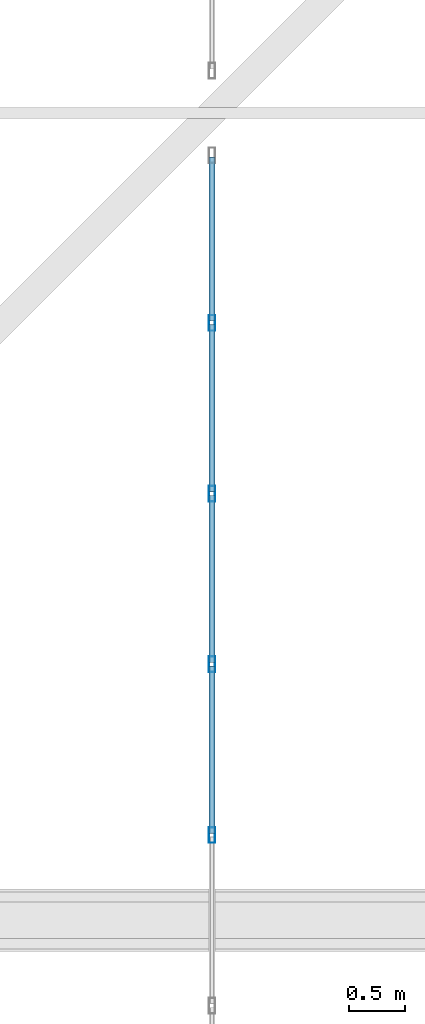
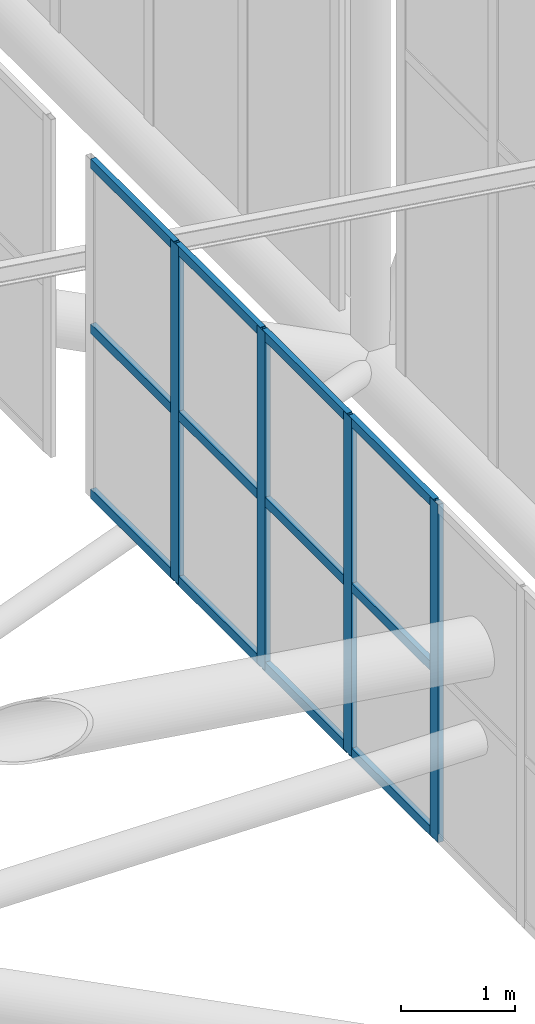
# One storey, part 166 of 397: 16 members, 1 element without a shape of its own.
"""IFC4 building model written with IfcOpenShell, lengths in metres."""

import ifcopenshell
import ifcopenshell.guid

model = None  # the IFC model being written
_history = None  # IfcOwnerHistory: only IFC2X3 demands one
_inside = {}  # id of a spatial element -> (the spatial element, [elements in it])
_under = {}  # id of a project, library or spatial element -> (it, [spatial elements below it])
_declared = {}  # id of a project -> (the project, [libraries it declares])
_typed = {}  # id of a type object -> (the type object, [elements of that type])
_made_of = {}  # id of a material, layer set ... -> (it, [elements and type objects made of it])


def new_model(schema):
    """Start an empty IFC model of exactly this schema.

    Asked for "IFC4X3", IfcOpenShell would pick the latest addendum, in which some entities
    have other attributes; the version numbers below select the first issue.
    IFC2X3 requires an IfcOwnerHistory on every rooted entity: one is made here for all.
    """
    global model, _history
    if schema == "IFC4X3":
        model = ifcopenshell.file(schema_version=(4, 3, 0, 0))
    else:
        model = ifcopenshell.file(schema=schema)
    _inside.clear()
    _under.clear()
    _declared.clear()
    _typed.clear()
    _made_of.clear()
    _history = None
    if model.schema == "IFC2X3":
        org = make("IfcOrganization", Name="unknown")
        user = make(
            "IfcPersonAndOrganization",
            ThePerson=make("IfcPerson", FamilyName="unknown"),
            TheOrganization=org,
        )
        app = make(
            "IfcApplication",
            ApplicationDeveloper=org,
            Version="unknown",
            ApplicationFullName="unknown",
            ApplicationIdentifier="unknown",
        )
        _history = make(
            "IfcOwnerHistory",
            OwningUser=user,
            OwningApplication=app,
            ChangeAction="ADDED",
            CreationDate=0,
        )
    return model


def make(cls, **values):
    """One entity of the class cls with the attributes given. An attribute that is None is left unset."""
    return model.create_entity(
        cls, **{name: value for name, value in values.items() if value is not None}
    )


def rooted(cls, **values):
    """An entity with a GlobalId (a new one), such as an element, a storey or a relation."""
    return make(cls, GlobalId=ifcopenshell.guid.new(), OwnerHistory=_history, **values)


def si_unit(unit_type, name, prefix=None):
    """IfcSIUnit, for example si_unit("LENGTHUNIT", "METRE", prefix="MILLI")."""
    return make("IfcSIUnit", UnitType=unit_type, Prefix=prefix, Name=name)


def assignment(units):
    """IfcUnitAssignment: the units of a project."""
    return None if units is None else make("IfcUnitAssignment", Units=units)


def point(xyz):
    """IfcCartesianPoint."""
    return None if xyz is None else make("IfcCartesianPoint", Coordinates=xyz)


def direction(xyz):
    """IfcDirection."""
    return None if xyz is None else make("IfcDirection", DirectionRatios=xyz)


def frame(location, z_axis=None, x_axis=None):
    """IfcAxis2Placement3D, a coordinate frame: its origin and axes. An axis left out is left unset."""
    return make(
        "IfcAxis2Placement3D",
        Location=point(location),
        Axis=direction(z_axis),
        RefDirection=direction(x_axis),
    )


def frame_2d(location, x_axis=None):
    """IfcAxis2Placement2D, a coordinate frame in the plane: its origin and x axis."""
    return make(
        "IfcAxis2Placement2D", Location=point(location), RefDirection=direction(x_axis)
    )


def origin():
    """The frame at (0, 0, 0) with its axes left unset."""
    return frame((0.0, 0.0, 0.0))


def origin_2d():
    """The frame at (0, 0) in the plane with its x axis left unset."""
    return frame_2d((0.0, 0.0))


def place(relative_to, where):
    """IfcLocalPlacement: puts the frame where relative to a parent placement (None: the world)."""
    return make(
        "IfcLocalPlacement", PlacementRelTo=relative_to, RelativePlacement=where
    )


def context(
    kind, dimensions, precision=None, world=None, true_north=None, identifier=None
):
    """IfcGeometricRepresentationContext, for example the 3D "Model" context."""
    return make(
        "IfcGeometricRepresentationContext",
        ContextIdentifier=identifier,
        ContextType=kind,
        CoordinateSpaceDimension=dimensions,
        Precision=precision,
        WorldCoordinateSystem=world,
        TrueNorth=true_north,
    )


def subcontext(parent, identifier, kind, view, scale=None):
    """IfcGeometricRepresentationSubContext, for example "Body" below "Model"."""
    return make(
        "IfcGeometricRepresentationSubContext",
        ContextIdentifier=identifier,
        ContextType=kind,
        ParentContext=parent,
        TargetScale=scale,
        TargetView=view,
    )


def project(units=None, contexts=None):
    """IfcProject with its units and contexts."""
    return rooted(
        "IfcProject",
        Name="project",
        RepresentationContexts=contexts,
        UnitsInContext=assignment(units),
    )


def spatial(cls, under=None, at=None, **own):
    """A site, building, storey or space (cls), placed at a placement, below another one or the project."""
    s = rooted(cls, ObjectPlacement=at, **own)
    if under is not None:
        _under.setdefault(under.id(), (under, []))[1].append(s)
    return s


def profile(cls, at=None, kind="AREA", **sizes):
    """A parametric profile (cls). Its sizes go by their IFC names, for example OverallWidth=200.0."""
    return make(cls, ProfileType=kind, Position=at, **sizes)


def hollow_rectangle(**sizes):
    """IfcRectangleHollowProfileDef."""
    return profile("IfcRectangleHollowProfileDef", **sizes)


def extrude(swept, where, along, depth):
    """IfcExtrudedAreaSolid: the profile swept, set in the frame where, extruded along a direction by depth."""
    return make(
        "IfcExtrudedAreaSolid",
        SweptArea=swept,
        Position=where,
        ExtrudedDirection=direction(along),
        Depth=depth,
    )


def shape(context_of_items, identifier, shape_type, items):
    """IfcShapeRepresentation: the items that make up one representation, for example the "Body"."""
    return make(
        "IfcShapeRepresentation",
        ContextOfItems=context_of_items,
        RepresentationIdentifier=identifier,
        RepresentationType=shape_type,
        Items=items,
    )


def material(Name=None, Category=None):
    """IfcMaterial."""
    return make("IfcMaterial", Name=Name, Category=Category)


def material_profile(
    of_material, cross_section, Name=None, Category=None, Priority=None
):
    """IfcMaterialProfile: a cross section and its material."""
    return make(
        "IfcMaterialProfile",
        Name=Name,
        Material=of_material,
        Profile=cross_section,
        Priority=Priority,
        Category=Category,
    )


def profile_set(profiles, Name=None, composite=None):
    """IfcMaterialProfileSet."""
    return make(
        "IfcMaterialProfileSet",
        Name=Name,
        MaterialProfiles=profiles,
        CompositeProfile=composite,
    )


def made_of(thing, what):
    """Note that an element or type object is made of a material, layer set ...; save() writes the relation."""
    if what is not None:
        _made_of.setdefault(what.id(), (what, []))[1].append(thing)
    return thing


def type_object(cls, material=None, **own):
    """A type object (cls), such as IfcWallType, which elements share."""
    return made_of(rooted(cls, **own), material)


def element(
    cls,
    number,
    at=None,
    inside=None,
    cuts=None,
    type_object=None,
    material=None,
    context=None,
    identifier="Body",
    shape_type=None,
    held_by="IfcProductDefinitionShape",
    body=None,
    shapes=None,
    **own,
):
    """One element of the class cls, such as IfcWall. Its Tag is "e" and its number.

    at: its placement. inside: the storey or other place that contains it. cuts: it is an
    opening in that element (IfcRelVoidsElement). A single representation is given by context,
    identifier, shape_type and body (its items); several are given by shapes. held_by: the class
    of the entity that holds the representations. save() writes the other relations.
    """
    e = rooted(cls, Tag="e%d" % number, ObjectPlacement=at, **own)
    if body is not None:
        shapes = [shape(context, identifier, shape_type, body)]
    if shapes is not None:
        e.Representation = make(held_by, Representations=shapes)
    if inside is not None:
        _inside.setdefault(inside.id(), (inside, []))[1].append(e)
    if cuts is not None:
        rooted(
            "IfcRelVoidsElement", RelatingBuildingElement=cuts, RelatedOpeningElement=e
        )
    if type_object is not None:
        _typed.setdefault(type_object.id(), (type_object, []))[1].append(e)
    return made_of(e, material)


def aggregate(whole, parts):
    """IfcRelAggregates: a whole, such as a stair, and the parts it consists of."""
    return rooted("IfcRelAggregates", RelatingObject=whole, RelatedObjects=parts)


def save(model, path):
    """Write the relations noted so far, then the file.

    IfcRelAggregates (storeys below a building ...), IfcRelContainedInSpatialStructure (elements
    in a storey), IfcRelDefinesByType, IfcRelAssociatesMaterial and IfcRelDeclares: one each for
    every whole, place, type object, material and project.
    """
    for whole, parts in _under.values():
        aggregate(whole, parts)
    for where, things in _inside.values():
        rooted(
            "IfcRelContainedInSpatialStructure",
            RelatedElements=things,
            RelatingStructure=where,
        )
    for kind, things in _typed.values():
        rooted("IfcRelDefinesByType", RelatedObjects=things, RelatingType=kind)
    for what, things in _made_of.values():
        rooted("IfcRelAssociatesMaterial", RelatedObjects=things, RelatingMaterial=what)
    for by, libraries in _declared.values():
        rooted("IfcRelDeclares", RelatingContext=by, RelatedDefinitions=libraries)
    model.write(path)


model = new_model("IFC4")

# Units and contexts
model_context = context("Model", 3, precision=1e-05, world=origin(), true_north=direction((0.0, 1.0)))
body_context = subcontext(model_context, "Body", "Model", "MODEL_VIEW")
ifc_project = project(units=[si_unit("LENGTHUNIT", "METRE"), si_unit("AREAUNIT", "SQUARE_METRE"), si_unit("VOLUMEUNIT", "CUBIC_METRE"), si_unit("PLANEANGLEUNIT", "RADIAN"), si_unit("MASSUNIT", "GRAM", prefix="KILO")], contexts=[model_context])

# Site, building, storey
site_placement = place(None, origin())
site = spatial("IfcSite", under=ifc_project, at=site_placement, CompositionType="ELEMENT")
building_placement = place(site_placement, origin())
building = spatial("IfcBuilding", under=site, at=building_placement, Name="Qandorah Velis Arena", CompositionType="ELEMENT")
storey_placement = place(building_placement, frame((0.0, 0.0, 27.5)))
storey = spatial("IfcBuildingStorey", under=building, at=storey_placement, Name="RF", CompositionType="ELEMENT", Elevation=27.5)

# Curtain wall, members
ifc_material_1 = material(Name="Solar-control low-E double glazing", Category="glass")
curtain_wall_type = type_object("IfcCurtainWallType", Name="ARC-CW-SYS15", PredefinedType="USERDEFINED", material=ifc_material_1)
curtain_wall_placement = place(storey_placement, origin())
curtain_wall = element("IfcCurtainWall", 1, at=curtain_wall_placement, inside=storey, type_object=curtain_wall_type, Name="Unitised curtain wall MON-2-3", ObjectType="UNITISED CURTAIN WALL", PredefinedType="USERDEFINED")
ifc_material_2 = material(Name="Champagne-bronze anodized aluminium 6063-T6", Category="aluminium")
ifc_material_profile_1 = material_profile(ifc_material_2, hollow_rectangle(XDim=0.054931640625, YDim=0.139892578125, WallThickness=0.0029296875, at=origin_2d()), Name="ALU MULLION 55x140")
ifc_profile_set_1 = profile_set([ifc_material_profile_1], Name="Champagne-bronze anodized aluminium 6063-T6")
member_type_1 = type_object("IfcMemberType", Name="ARC-CWM-140", PredefinedType="MULLION", material=ifc_profile_set_1)
member_1_placement = place(storey_placement, frame((108.0, 58.361083984375, 5.830322265625), z_axis=(0.0, 0.0, 1.0), x_axis=(-1.0, 0.0, 0.0)))
member_1 = element("IfcMember", 2, at=member_1_placement, type_object=member_type_1, Name="CW15 mullion 6", PredefinedType="MULLION", context=body_context, shape_type="SweptSolid", body=[
    extrude(hollow_rectangle(XDim=0.054931640625, YDim=0.139892578125, WallThickness=0.0029296875, at=origin_2d()), origin(), (0.0, 0.0, 1.0), 3.6298828125),
])
member_2_placement = place(storey_placement, frame((108.0, 59.88330078125, 5.830322265625), z_axis=(0.0, 0.0, 1.0), x_axis=(-1.0, 0.0, 0.0)))
member_2 = element("IfcMember", 3, at=member_2_placement, type_object=member_type_1, Name="CW15 mullion 7", PredefinedType="MULLION", context=body_context, shape_type="SweptSolid", body=[
    extrude(hollow_rectangle(XDim=0.054931640625, YDim=0.139892578125, WallThickness=0.0029296875, at=origin_2d()), origin(), (0.0, 0.0, 1.0), 3.6298828125),
])
member_3_placement = place(storey_placement, frame((108.0, 61.405517578125, 5.830322265625), z_axis=(0.0, 0.0, 1.0), x_axis=(-1.0, 0.0, 0.0)))
member_3 = element("IfcMember", 4, at=member_3_placement, type_object=member_type_1, Name="CW15 mullion 8", PredefinedType="MULLION", context=body_context, shape_type="SweptSolid", body=[
    extrude(hollow_rectangle(XDim=0.054931640625, YDim=0.139892578125, WallThickness=0.0029296875, at=origin_2d()), origin(), (0.0, 0.0, 1.0), 3.6298828125),
])
member_4_placement = place(storey_placement, frame((108.0, 62.927734375, 5.830322265625), z_axis=(0.0, 0.0, 1.0), x_axis=(-1.0, 0.0, 0.0)))
member_4 = element("IfcMember", 5, at=member_4_placement, type_object=member_type_1, Name="CW15 mullion 9", PredefinedType="MULLION", context=body_context, shape_type="SweptSolid", body=[
    extrude(hollow_rectangle(XDim=0.054931640625, YDim=0.139892578125, WallThickness=0.0029296875, at=origin_2d()), origin(), (0.0, 0.0, 1.0), 3.6298828125),
])
ifc_material_profile_2 = material_profile(ifc_material_2, hollow_rectangle(XDim=0.054931640625, YDim=0.10009765625, WallThickness=0.0029296875, at=origin_2d()), Name="ALU TRANSOM 55x100")
ifc_profile_set_2 = profile_set([ifc_material_profile_2], Name="Champagne-bronze anodized aluminium 6063-T6")
member_type_2 = type_object("IfcMemberType", Name="ARC-CWT-100", PredefinedType="USERDEFINED", material=ifc_profile_set_2)
member_5_placement = place(storey_placement, frame((108.0, 58.376708984375, 5.872802734375), z_axis=(0.0, 1.0, 0.0), x_axis=(-1.0, 0.0, 0.0)))
member_5 = element("IfcMember", 6, at=member_5_placement, type_object=member_type_2, Name="CW15 transom 6.1", ObjectType="TRANSOM", PredefinedType="USERDEFINED", context=body_context, shape_type="SweptSolid", body=[
    extrude(hollow_rectangle(XDim=0.054931640625, YDim=0.10009765625, WallThickness=0.0029296875, at=origin_2d()), origin(), (0.0, 0.0, 1.0), 1.4912109375),
])
member_6_placement = place(storey_placement, frame((108.0, 58.376708984375, 7.645263671875), z_axis=(0.0, 1.0, 0.0), x_axis=(-1.0, 0.0, 0.0)))
member_6 = element("IfcMember", 7, at=member_6_placement, type_object=member_type_2, Name="CW15 transom 6.2", ObjectType="TRANSOM", PredefinedType="USERDEFINED", context=body_context, shape_type="SweptSolid", body=[
    extrude(hollow_rectangle(XDim=0.054931640625, YDim=0.10009765625, WallThickness=0.0029296875, at=origin_2d()), origin(), (0.0, 0.0, 1.0), 1.4912109375),
])
member_7_placement = place(storey_placement, frame((108.0, 58.376708984375, 9.417724609375), z_axis=(0.0, 1.0, 0.0), x_axis=(-1.0, 0.0, 0.0)))
member_7 = element("IfcMember", 8, at=member_7_placement, type_object=member_type_2, Name="CW15 transom 6.3", ObjectType="TRANSOM", PredefinedType="USERDEFINED", context=body_context, shape_type="SweptSolid", body=[
    extrude(hollow_rectangle(XDim=0.054931640625, YDim=0.10009765625, WallThickness=0.0029296875, at=origin_2d()), origin(), (0.0, 0.0, 1.0), 1.4912109375),
])
member_8_placement = place(storey_placement, frame((108.0, 59.898681640625, 5.872802734375), z_axis=(0.0, 1.0, 0.0), x_axis=(-1.0, 0.0, 0.0)))
member_8 = element("IfcMember", 9, at=member_8_placement, type_object=member_type_2, Name="CW15 transom 7.1", ObjectType="TRANSOM", PredefinedType="USERDEFINED", context=body_context, shape_type="SweptSolid", body=[
    extrude(hollow_rectangle(XDim=0.054931640625, YDim=0.10009765625, WallThickness=0.0029296875, at=origin_2d()), origin(), (0.0, 0.0, 1.0), 1.491455078125),
])
member_9_placement = place(storey_placement, frame((108.0, 59.898681640625, 7.645263671875), z_axis=(0.0, 1.0, 0.0), x_axis=(-1.0, 0.0, 0.0)))
member_9 = element("IfcMember", 10, at=member_9_placement, type_object=member_type_2, Name="CW15 transom 7.2", ObjectType="TRANSOM", PredefinedType="USERDEFINED", context=body_context, shape_type="SweptSolid", body=[
    extrude(hollow_rectangle(XDim=0.054931640625, YDim=0.10009765625, WallThickness=0.0029296875, at=origin_2d()), origin(), (0.0, 0.0, 1.0), 1.491455078125),
])
member_10_placement = place(storey_placement, frame((108.0, 59.898681640625, 9.417724609375), z_axis=(0.0, 1.0, 0.0), x_axis=(-1.0, 0.0, 0.0)))
member_10 = element("IfcMember", 11, at=member_10_placement, type_object=member_type_2, Name="CW15 transom 7.3", ObjectType="TRANSOM", PredefinedType="USERDEFINED", context=body_context, shape_type="SweptSolid", body=[
    extrude(hollow_rectangle(XDim=0.054931640625, YDim=0.10009765625, WallThickness=0.0029296875, at=origin_2d()), origin(), (0.0, 0.0, 1.0), 1.491455078125),
])
member_11_placement = place(storey_placement, frame((108.0, 61.421142578125, 5.872802734375), z_axis=(0.0, 1.0, 0.0), x_axis=(-1.0, 0.0, 0.0)))
member_11 = element("IfcMember", 12, at=member_11_placement, type_object=member_type_2, Name="CW15 transom 8.1", ObjectType="TRANSOM", PredefinedType="USERDEFINED", context=body_context, shape_type="SweptSolid", body=[
    extrude(hollow_rectangle(XDim=0.054931640625, YDim=0.10009765625, WallThickness=0.0029296875, at=origin_2d()), origin(), (0.0, 0.0, 1.0), 1.4912109375),
])
member_12_placement = place(storey_placement, frame((108.0, 61.421142578125, 7.645263671875), z_axis=(0.0, 1.0, 0.0), x_axis=(-1.0, 0.0, 0.0)))
member_12 = element("IfcMember", 13, at=member_12_placement, type_object=member_type_2, Name="CW15 transom 8.2", ObjectType="TRANSOM", PredefinedType="USERDEFINED", context=body_context, shape_type="SweptSolid", body=[
    extrude(hollow_rectangle(XDim=0.054931640625, YDim=0.10009765625, WallThickness=0.0029296875, at=origin_2d()), origin(), (0.0, 0.0, 1.0), 1.4912109375),
])
member_13_placement = place(storey_placement, frame((108.0, 61.421142578125, 9.417724609375), z_axis=(0.0, 1.0, 0.0), x_axis=(-1.0, 0.0, 0.0)))
member_13 = element("IfcMember", 14, at=member_13_placement, type_object=member_type_2, Name="CW15 transom 8.3", ObjectType="TRANSOM", PredefinedType="USERDEFINED", context=body_context, shape_type="SweptSolid", body=[
    extrude(hollow_rectangle(XDim=0.054931640625, YDim=0.10009765625, WallThickness=0.0029296875, at=origin_2d()), origin(), (0.0, 0.0, 1.0), 1.4912109375),
])
member_14_placement = place(storey_placement, frame((108.0, 62.943359375, 5.872802734375), z_axis=(0.0, 1.0, 0.0), x_axis=(-1.0, 0.0, 0.0)))
member_14 = element("IfcMember", 15, at=member_14_placement, type_object=member_type_2, Name="CW15 transom 9.1", ObjectType="TRANSOM", PredefinedType="USERDEFINED", context=body_context, shape_type="SweptSolid", body=[
    extrude(hollow_rectangle(XDim=0.054931640625, YDim=0.10009765625, WallThickness=0.0029296875, at=origin_2d()), origin(), (0.0, 0.0, 1.0), 1.463623046875),
])
member_15_placement = place(storey_placement, frame((108.0, 62.943359375, 7.645263671875), z_axis=(0.0, 1.0, 0.0), x_axis=(-1.0, 0.0, 0.0)))
member_15 = element("IfcMember", 16, at=member_15_placement, type_object=member_type_2, Name="CW15 transom 9.2", ObjectType="TRANSOM", PredefinedType="USERDEFINED", context=body_context, shape_type="SweptSolid", body=[
    extrude(hollow_rectangle(XDim=0.054931640625, YDim=0.10009765625, WallThickness=0.0029296875, at=origin_2d()), origin(), (0.0, 0.0, 1.0), 1.463623046875),
])
member_16_placement = place(storey_placement, frame((108.0, 62.943359375, 9.417724609375), z_axis=(0.0, 1.0, 0.0), x_axis=(-1.0, 0.0, 0.0)))
member_16 = element("IfcMember", 17, at=member_16_placement, type_object=member_type_2, Name="CW15 transom 9.3", ObjectType="TRANSOM", PredefinedType="USERDEFINED", context=body_context, shape_type="SweptSolid", body=[
    extrude(hollow_rectangle(XDim=0.054931640625, YDim=0.10009765625, WallThickness=0.0029296875, at=origin_2d()), origin(), (0.0, 0.0, 1.0), 1.463623046875),
])
aggregate(curtain_wall, [member_1, member_2, member_3, member_4, member_5, member_6, member_7, member_8, member_9, member_10, member_11, member_12, member_13, member_14, member_15, member_16])

save(model, "model.ifc")
